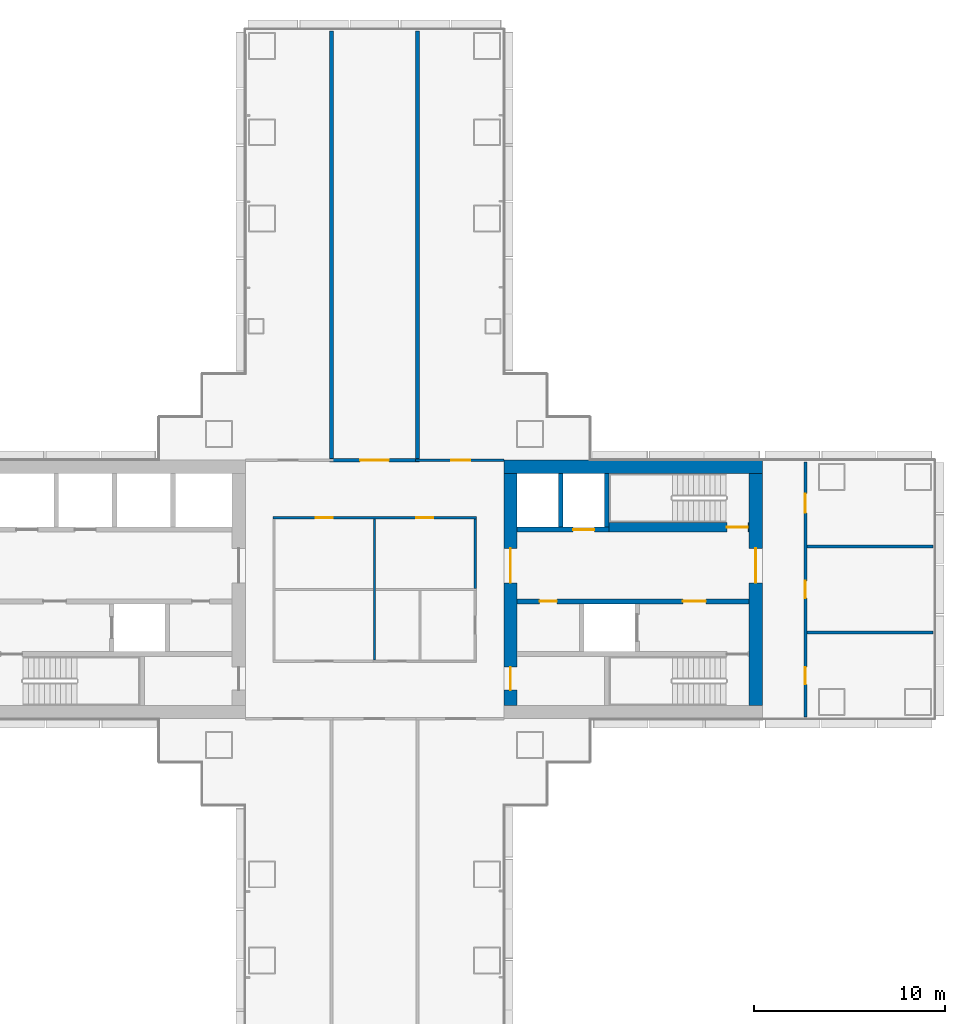
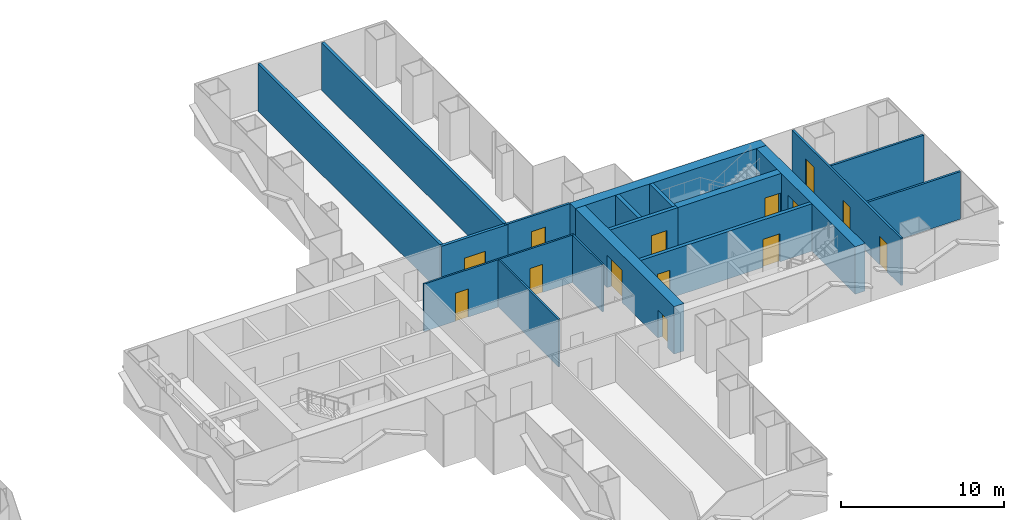
# One storey, part 16 of 21: 18 walls, 14 doors, 14 openings.
"""IFC4 building model written with IfcOpenShell, lengths in metres."""

from ifc_helpers import new_model, si_unit, direction, frame, frame_2d, origin, place, context, subcontext, project, spatial, rectangle, extrude, material, layer, layer_set, type_object, element, fill, save


model = new_model("IFC4")

# Units and contexts
model_context = context("Model", 3, precision=1e-05, world=origin(), true_north=direction((0.0, 1.0)))
body_context = subcontext(model_context, "Body", "Model", "MODEL_VIEW")
ifc_project = project(units=[si_unit("LENGTHUNIT", "METRE"), si_unit("AREAUNIT", "SQUARE_METRE"), si_unit("VOLUMEUNIT", "CUBIC_METRE"), si_unit("PLANEANGLEUNIT", "RADIAN"), si_unit("MASSUNIT", "GRAM", prefix="KILO")], contexts=[model_context])

# Site, building, storey
site_placement = place(None, origin())
site = spatial("IfcSite", under=ifc_project, at=site_placement, CompositionType="ELEMENT")
building_placement = place(site_placement, origin())
building = spatial("IfcBuilding", under=site, at=building_placement, Name="Shamsa Quay Exchange Towers", CompositionType="ELEMENT")
storey_placement = place(building_placement, frame((0.0, 0.0, 57.60009765625)))
storey = spatial("IfcBuildingStorey", under=building, at=storey_placement, Name="L12", CompositionType="ELEMENT", Elevation=57.60009765625)

# Wall
ifc_material_1 = material(Name="Concrete C80/95", Category="concrete")
ifc_layer_1 = layer(ifc_material_1, 0.699951171875)
ifc_layer_set_1 = layer_set([ifc_layer_1], Name="CORE WALL 700 C80/95")
wall_type_1 = type_object("IfcWallType", Name="CORE WALL 700 C80/95", PredefinedType="SHEAR", material=ifc_layer_set_1)
wall_1_placement = place(storey_placement, frame((54.0, 6.39990234375, 0.0), z_axis=(0.0, 0.0, 1.0), x_axis=(-1.0, 0.0, 0.0)))
element("IfcWall", 1, at=wall_1_placement, inside=storey, type_object=wall_type_1, Name="Core wall T2B-R05-PN", PredefinedType="SHEAR", context=body_context, shape_type="SweptSolid", body=[
    extrude(rectangle(XDim=13.5, YDim=0.699951171875, at=frame_2d((6.75, 0.0))), origin(), (0.0, 0.0, 1.0), 3.5498046875),
])

# Wall, opening, door
wall_2_placement = place(storey_placement, frame((53.64990234375, -6.050048828125, 0.0), z_axis=(0.0, 0.0, 1.0), x_axis=(0.0, 1.0, 0.0)))
wall_2 = element("IfcWall", 2, at=wall_2_placement, inside=storey, type_object=wall_type_1, Name="Core wall T2B-R05-PF", PredefinedType="SHEAR", context=body_context, shape_type="SweptSolid", body=[
    extrude(rectangle(XDim=12.10009765625, YDim=0.699951171875, at=frame_2d((6.050048828125, 0.0))), origin(), (0.0, 0.0, 1.0), 3.5498046875),
])
opening_1_placement = place(wall_2_placement, frame((6.39990234375, 0.0, 0.0)))
opening_1 = element("IfcOpeningElement", 3, at=opening_1_placement, cuts=wall_2, Name="Opening T2B-R05-LBD01", PredefinedType="OPENING", context=body_context, shape_type="SweptSolid", body=[
    extrude(rectangle(XDim=1.800048828125, YDim=2.39990234375, at=frame_2d((0.89990234375, 1.199951171875))), frame((0.0, 0.35986328125, 0.0), z_axis=(0.0, -1.0, 0.0), x_axis=(1.0, 0.0, 0.0)), (0.0, 0.0, 1.0), 0.719970703125),
])
ifc_material_2 = material(Name="Steel, fire rated", Category="steel")
door_type_1 = type_object("IfcDoorType", Name="LIFT LOBBY DOOR PAIR 1800", OperationType="DOUBLE_DOOR_SINGLE_SWING", PredefinedType="DOOR", material=ifc_material_2)
door_1_placement = place(opening_1_placement, origin())
door_1 = element("IfcDoor", 4, at=door_1_placement, inside=storey, type_object=door_type_1, Name="T2B-R05-LBD01", OperationType="DOUBLE_DOOR_SINGLE_SWING", OverallHeight=2.39990234375, OverallWidth=1.800048828125, PredefinedType="DOOR", context=body_context, shape_type="SweptSolid", body=[
    extrude(rectangle(XDim=1.800048828125, YDim=2.39990234375, at=frame_2d((0.89990234375, 1.199951171875))), frame((0.0, 0.02490234375, 0.0), z_axis=(0.0, -1.0, 0.0), x_axis=(1.0, 0.0, 0.0)), (0.0, 0.0, 1.0), 0.050048828125),
])
fill(opening_1, door_1)

# Wall, openings, doors
wall_3_placement = place(storey_placement, frame((40.85009765625, -6.050048828125, 0.0), z_axis=(0.0, 0.0, 1.0), x_axis=(0.0, 1.0, 0.0)))
wall_3 = element("IfcWall", 5, at=wall_3_placement, inside=storey, type_object=wall_type_1, Name="Core wall T2B-R05-PB", PredefinedType="SHEAR", context=body_context, shape_type="SweptSolid", body=[
    extrude(rectangle(XDim=12.10009765625, YDim=0.699951171875, at=frame_2d((6.050048828125, 0.0))), origin(), (0.0, 0.0, 1.0), 3.5498046875),
])
opening_2_placement = place(wall_3_placement, frame((0.800048828125, 0.0, 0.0)))
opening_2 = element("IfcOpeningElement", 6, at=opening_2_placement, cuts=wall_3, Name="Opening T2B-R05-RD02", PredefinedType="OPENING", context=body_context, shape_type="SweptSolid", body=[
    extrude(rectangle(XDim=1.199951171875, YDim=2.10009765625, at=frame_2d((0.60009765625, 1.050048828125))), frame((0.0, 0.35986328125, 0.0), z_axis=(0.0, -1.0, 0.0), x_axis=(1.0, 0.0, 0.0)), (0.0, 0.0, 1.0), 0.719970703125),
])
opening_3_placement = place(wall_3_placement, frame((6.39990234375, 0.0, 0.0)))
opening_3 = element("IfcOpeningElement", 7, at=opening_3_placement, cuts=wall_3, Name="Opening T2B-R05-LBD03", PredefinedType="OPENING", context=body_context, shape_type="SweptSolid", body=[
    extrude(rectangle(XDim=1.800048828125, YDim=2.39990234375, at=frame_2d((0.89990234375, 1.199951171875))), frame((0.0, 0.35986328125, 0.0), z_axis=(0.0, -1.0, 0.0), x_axis=(1.0, 0.0, 0.0)), (0.0, 0.0, 1.0), 0.719970703125),
])
door_2_placement = place(opening_3_placement, origin())
door_2 = element("IfcDoor", 8, at=door_2_placement, inside=storey, type_object=door_type_1, Name="T2B-R05-LBD03", OperationType="DOUBLE_DOOR_SINGLE_SWING", OverallHeight=2.39990234375, OverallWidth=1.800048828125, PredefinedType="DOOR", context=body_context, shape_type="SweptSolid", body=[
    extrude(rectangle(XDim=1.800048828125, YDim=2.39990234375, at=frame_2d((0.89990234375, 1.199951171875))), frame((0.0, 0.02490234375, 0.0), z_axis=(0.0, -1.0, 0.0), x_axis=(1.0, 0.0, 0.0)), (0.0, 0.0, 1.0), 0.050048828125),
])
fill(opening_3, door_2)
door_type_2 = type_object("IfcDoorType", Name="RISER ACCESS DOOR 1200", OperationType="SINGLE_SWING_LEFT", PredefinedType="DOOR", material=ifc_material_2)
door_3_placement = place(opening_2_placement, origin())
door_3 = element("IfcDoor", 9, at=door_3_placement, inside=storey, type_object=door_type_2, Name="T2B-R05-RD02", OperationType="SINGLE_SWING_LEFT", OverallHeight=2.10009765625, OverallWidth=1.199951171875, PredefinedType="DOOR", context=body_context, shape_type="SweptSolid", body=[
    extrude(rectangle(XDim=1.199951171875, YDim=2.10009765625, at=frame_2d((0.60009765625, 1.050048828125))), frame((0.0, 0.02490234375, 0.0), z_axis=(0.0, -1.0, 0.0), x_axis=(1.0, 0.0, 0.0)), (0.0, 0.0, 1.0), 0.050048828125),
])
fill(opening_2, door_3)

ifc_material_3 = material(Name="Laminated fire-resisting glass in a metal frame", Category="glass")
ifc_layer_2 = layer(ifc_material_3, 0.125)
ifc_layer_set_2 = layer_set([ifc_layer_2], Name="Glazed partition 125 mm EI 60")
wall_type_2 = type_object("IfcWallType", Name="Glazed partition 125 mm EI 60", PredefinedType="PARTITIONING", material=ifc_layer_set_2)
wall_4_placement = place(storey_placement, frame((39.0625, 3.75, 0.0), z_axis=(0.0, 0.0, 1.0), x_axis=(-1.0, 0.0, 0.0)))
wall_4 = element("IfcWall", 10, at=wall_4_placement, inside=storey, type_object=wall_type_2, Name="Partition T2-R05-W02", PredefinedType="PARTITIONING", context=body_context, shape_type="SweptSolid", body=[
    extrude(rectangle(XDim=10.625, YDim=0.125, at=frame_2d((5.3125, 0.0))), origin(), (0.0, 0.0, 1.0), 3.5498046875),
])
opening_4_placement = place(wall_4_placement, frame((7.487548828125, 0.0, 0.0)))
opening_4 = element("IfcOpeningElement", 11, at=opening_4_placement, cuts=wall_4, Name="Opening T2-R05-D12", PredefinedType="OPENING", context=body_context, shape_type="SweptSolid", body=[
    extrude(rectangle(XDim=0.89990234375, YDim=2.10009765625, at=frame_2d((0.449951171875, 1.050048828125))), frame((0.0, 0.072509765625, 0.0), z_axis=(0.0, -1.0, 0.0), x_axis=(1.0, 0.0, 0.0)), (0.0, 0.0, 1.0), 0.14501953125),
])
opening_5_placement = place(wall_4_placement, frame((2.237548828125, 0.0, 0.0)))
opening_5 = element("IfcOpeningElement", 12, at=opening_5_placement, cuts=wall_4, Name="Opening T2-R05-D13", PredefinedType="OPENING", context=body_context, shape_type="SweptSolid", body=[
    extrude(rectangle(XDim=0.89990234375, YDim=2.10009765625, at=frame_2d((0.449951171875, 1.050048828125))), frame((0.0, 0.072509765625, 0.0), z_axis=(0.0, -1.0, 0.0), x_axis=(1.0, 0.0, 0.0)), (0.0, 0.0, 1.0), 0.14501953125),
])
ifc_material_4 = material(Name="Timber door leaf in a metal frame", Category="wood")
door_type_3 = type_object("IfcDoorType", Name="Door 900x2100 FD30S", OperationType="NOTDEFINED", PredefinedType="DOOR", material=ifc_material_4)
door_4_placement = place(opening_4_placement, origin())
door_4 = element("IfcDoor", 13, at=door_4_placement, inside=storey, type_object=door_type_3, Name="Door T2-R05-D12", OperationType="SINGLE_SWING_LEFT", OverallHeight=2.10009765625, OverallWidth=0.89990234375, PredefinedType="DOOR", context=body_context, shape_type="SweptSolid", body=[
    extrude(rectangle(XDim=0.89990234375, YDim=2.10009765625, at=frame_2d((0.449951171875, 1.050048828125))), frame((0.0, 0.02490234375, 0.0), z_axis=(0.0, -1.0, 0.0), x_axis=(1.0, 0.0, 0.0)), (0.0, 0.0, 1.0), 0.050048828125),
])
fill(opening_4, door_4)
door_5_placement = place(opening_5_placement, origin())
door_5 = element("IfcDoor", 14, at=door_5_placement, inside=storey, type_object=door_type_3, Name="Door T2-R05-D13", OperationType="SINGLE_SWING_RIGHT", OverallHeight=2.10009765625, OverallWidth=0.89990234375, PredefinedType="DOOR", context=body_context, shape_type="SweptSolid", body=[
    extrude(rectangle(XDim=0.89990234375, YDim=2.10009765625, at=frame_2d((0.449951171875, 1.050048828125))), frame((0.0, 0.02490234375, 0.0), z_axis=(0.0, -1.0, 0.0), x_axis=(1.0, 0.0, 0.0)), (0.0, 0.0, 1.0), 0.050048828125),
])
fill(opening_5, door_5)

# Walls
wall_5_placement = place(storey_placement, frame((39.0, 0.0625, 0.0), z_axis=(0.0, 0.0, 1.0), x_axis=(0.0, 1.0, 0.0)))
element("IfcWall", 15, at=wall_5_placement, inside=storey, type_object=wall_type_2, Name="Partition T2-R05-W04", PredefinedType="PARTITIONING", context=body_context, shape_type="SweptSolid", body=[
    extrude(rectangle(XDim=3.625, YDim=0.125, at=frame_2d((1.8125, 0.0))), origin(), (0.0, 0.0, 1.0), 3.5498046875),
])
wall_6_placement = place(storey_placement, frame((33.75, -3.6875, 0.0), z_axis=(0.0, 0.0, 1.0), x_axis=(0.0, 1.0, 0.0)))
element("IfcWall", 16, at=wall_6_placement, inside=storey, type_object=wall_type_2, Name="Partition T2-R05-W15", PredefinedType="PARTITIONING", context=body_context, shape_type="SweptSolid", body=[
    extrude(rectangle(XDim=7.375, YDim=0.125, at=frame_2d((3.6875, 0.0))), origin(), (0.0, 0.0, 1.0), 3.5498046875),
])

# Wall, opening, door
ifc_material_5 = material(Name="Gypsum board partition on metal studs")
ifc_layer_3 = layer(ifc_material_5, 0.14990234375)
ifc_layer_set_3 = layer_set([ifc_layer_3], Name="Partition 150 mm EI 60")
wall_type_3 = type_object("IfcWallType", Name="Partition 150 mm EI 60", PredefinedType="PARTITIONING", material=ifc_layer_set_3)
wall_7_placement = place(storey_placement, frame((35.89990234375, 6.75, 0.0)))
wall_7 = element("IfcWall", 17, at=wall_7_placement, inside=storey, type_object=wall_type_3, Name="Partition T2-R05-W07", PredefinedType="PARTITIONING", context=body_context, shape_type="SweptSolid", body=[
    extrude(rectangle(XDim=4.60009765625, YDim=0.14990234375, at=frame_2d((2.300048828125, 0.0))), origin(), (0.0, 0.0, 1.0), 3.5498046875),
])
opening_6_placement = place(wall_7_placement, frame((1.85009765625, 0.0, 0.0)))
opening_6 = element("IfcOpeningElement", 18, at=opening_6_placement, cuts=wall_7, Name="Opening T2-R05-D04", PredefinedType="OPENING", context=body_context, shape_type="SweptSolid", body=[
    extrude(rectangle(XDim=1.0, YDim=2.39990234375, at=frame_2d((0.5, 1.199951171875))), frame((0.0, 0.0849609375, 0.0), z_axis=(0.0, -1.0, 0.0), x_axis=(1.0, 0.0, 0.0)), (0.0, 0.0, 1.0), 0.169921875),
])
door_type_4 = type_object("IfcDoorType", Name="Door 1000x2400 FD30S", OperationType="NOTDEFINED", PredefinedType="DOOR", material=ifc_material_4)
door_6_placement = place(opening_6_placement, origin())
door_6 = element("IfcDoor", 19, at=door_6_placement, inside=storey, type_object=door_type_4, Name="Door T2-R05-D04", OperationType="SINGLE_SWING_RIGHT", OverallHeight=2.39990234375, OverallWidth=1.0, PredefinedType="DOOR", context=body_context, shape_type="SweptSolid", body=[
    extrude(rectangle(XDim=1.0, YDim=2.39990234375, at=frame_2d((0.5, 1.199951171875))), frame((0.0, 0.02490234375, 0.0), z_axis=(0.0, -1.0, 0.0), x_axis=(1.0, 0.0, 0.0)), (0.0, 0.0, 1.0), 0.050048828125),
])
fill(opening_6, door_6)

# Wall, openings, doors
wall_8_placement = place(storey_placement, frame((56.25, 6.655029296875, 0.0), z_axis=(0.0, 0.0, 1.0), x_axis=(0.0, -1.0, 0.0)))
wall_8 = element("IfcWall", 20, at=wall_8_placement, inside=storey, type_object=wall_type_3, Name="Partition T2-R05-W13", PredefinedType="PARTITIONING", context=body_context, shape_type="SweptSolid", body=[
    extrude(rectangle(XDim=13.31005859375, YDim=0.14990234375, at=frame_2d((6.655029296875, 0.0))), origin(), (0.0, 0.0, 1.0), 3.5498046875),
])
opening_7_placement = place(wall_8_placement, frame((10.705078125, 0.0, 0.0)))
opening_7 = element("IfcOpeningElement", 21, at=opening_7_placement, cuts=wall_8, Name="Opening T2-R05-D01", PredefinedType="OPENING", context=body_context, shape_type="SweptSolid", body=[
    extrude(rectangle(XDim=0.89990234375, YDim=2.10009765625, at=frame_2d((0.449951171875, 1.050048828125))), frame((0.0, 0.0849609375, 0.0), z_axis=(0.0, -1.0, 0.0), x_axis=(1.0, 0.0, 0.0)), (0.0, 0.0, 1.0), 0.169921875),
])
opening_8_placement = place(wall_8_placement, frame((6.205078125, 0.0, 0.0)))
opening_8 = element("IfcOpeningElement", 22, at=opening_8_placement, cuts=wall_8, Name="Opening T2-R05-D02", PredefinedType="OPENING", context=body_context, shape_type="SweptSolid", body=[
    extrude(rectangle(XDim=0.89990234375, YDim=2.10009765625, at=frame_2d((0.449951171875, 1.050048828125))), frame((0.0, 0.0849609375, 0.0), z_axis=(0.0, -1.0, 0.0), x_axis=(1.0, 0.0, 0.0)), (0.0, 0.0, 1.0), 0.169921875),
])
opening_9_placement = place(wall_8_placement, frame((1.655029296875, 0.0, 0.0)))
opening_9 = element("IfcOpeningElement", 23, at=opening_9_placement, cuts=wall_8, Name="Opening T2-R05-D03", PredefinedType="OPENING", context=body_context, shape_type="SweptSolid", body=[
    extrude(rectangle(XDim=1.0, YDim=2.39990234375, at=frame_2d((0.5, 1.199951171875))), frame((0.0, 0.0849609375, 0.0), z_axis=(0.0, -1.0, 0.0), x_axis=(1.0, 0.0, 0.0)), (0.0, 0.0, 1.0), 0.169921875),
])
door_7_placement = place(opening_9_placement, origin())
door_7 = element("IfcDoor", 24, at=door_7_placement, inside=storey, type_object=door_type_4, Name="Door T2-R05-D03", OperationType="SINGLE_SWING_RIGHT", OverallHeight=2.39990234375, OverallWidth=1.0, PredefinedType="DOOR", context=body_context, shape_type="SweptSolid", body=[
    extrude(rectangle(XDim=1.0, YDim=2.39990234375, at=frame_2d((0.5, 1.199951171875))), frame((0.0, 0.02490234375, 0.0), z_axis=(0.0, -1.0, 0.0), x_axis=(1.0, 0.0, 0.0)), (0.0, 0.0, 1.0), 0.050048828125),
])
fill(opening_9, door_7)
door_8_placement = place(opening_7_placement, origin())
door_8 = element("IfcDoor", 25, at=door_8_placement, inside=storey, type_object=door_type_3, Name="Door T2-R05-D01", OperationType="SINGLE_SWING_LEFT", OverallHeight=2.10009765625, OverallWidth=0.89990234375, PredefinedType="DOOR", context=body_context, shape_type="SweptSolid", body=[
    extrude(rectangle(XDim=0.89990234375, YDim=2.10009765625, at=frame_2d((0.449951171875, 1.050048828125))), frame((0.0, 0.02490234375, 0.0), z_axis=(0.0, -1.0, 0.0), x_axis=(1.0, 0.0, 0.0)), (0.0, 0.0, 1.0), 0.050048828125),
])
fill(opening_7, door_8)
door_9_placement = place(opening_8_placement, origin())
door_9 = element("IfcDoor", 26, at=door_9_placement, inside=storey, type_object=door_type_3, Name="Door T2-R05-D02", OperationType="SINGLE_SWING_RIGHT", OverallHeight=2.10009765625, OverallWidth=0.89990234375, PredefinedType="DOOR", context=body_context, shape_type="SweptSolid", body=[
    extrude(rectangle(XDim=0.89990234375, YDim=2.10009765625, at=frame_2d((0.449951171875, 1.050048828125))), frame((0.0, 0.02490234375, 0.0), z_axis=(0.0, -1.0, 0.0), x_axis=(1.0, 0.0, 0.0)), (0.0, 0.0, 1.0), 0.050048828125),
])
fill(opening_8, door_9)

# Walls
for number, where, z_axis, x_axis, name in (
    (27, (62.905029296875, -2.25, 0.0), (0.0, 0.0, 1.0), (-1.0, 0.0, 0.0), "Partition T2-R05-W21"),
    (28, (62.905029296875, 2.25, 0.0), (0.0, 0.0, 1.0), (-1.0, 0.0, 0.0), "Partition T2-R05-W22"),
):
    element("IfcWall", number, at=place(storey_placement, frame(where, z_axis=z_axis, x_axis=x_axis)), inside=storey, type_object=wall_type_3, Name=name, PredefinedType="PARTITIONING", context=body_context, shape_type="SweptSolid", body=[
        extrude(rectangle(XDim=6.580078125, YDim=0.14990234375, at=frame_2d((3.2900390625, 0.0))), origin(), (0.0, 0.0, 1.0), 3.5498046875),
    ])

# Wall, opening, door
ifc_layer_4 = layer(ifc_material_5, 0.199951171875)
ifc_layer_set_4 = layer_set([ifc_layer_4], Name="Partition 200 mm EI 90")
wall_type_4 = type_object("IfcWallType", Name="Partition 200 mm EI 90", PredefinedType="PARTITIONING", material=ifc_layer_set_4)
wall_9_placement = place(storey_placement, frame((31.39990234375, 6.75, 0.0)))
wall_9 = element("IfcWall", 29, at=wall_9_placement, inside=storey, type_object=wall_type_4, Name="Partition T2-R05-W09", PredefinedType="PARTITIONING", context=body_context, shape_type="SweptSolid", body=[
    extrude(rectangle(XDim=4.7001953125, YDim=0.199951171875, at=frame_2d((2.35009765625, 0.0))), origin(), (0.0, 0.0, 1.0), 3.5498046875),
])
opening_10_placement = place(wall_9_placement, frame((1.60009765625, 0.0, 0.0)))
opening_10 = element("IfcOpeningElement", 30, at=opening_10_placement, cuts=wall_9, Name="Opening T2-R05-D08", PredefinedType="OPENING", context=body_context, shape_type="SweptSolid", body=[
    extrude(rectangle(XDim=1.5, YDim=2.10009765625, at=frame_2d((0.75, 1.050048828125))), frame((0.0, 0.10986328125, 0.0), z_axis=(0.0, -1.0, 0.0), x_axis=(1.0, 0.0, 0.0)), (0.0, 0.0, 1.0), 0.219970703125),
])
door_type_5 = type_object("IfcDoorType", Name="Door 1500x2100 FD30S pair", OperationType="NOTDEFINED", PredefinedType="DOOR", material=ifc_material_4)
door_10_placement = place(opening_10_placement, origin())
door_10 = element("IfcDoor", 31, at=door_10_placement, inside=storey, type_object=door_type_5, Name="Door T2-R05-D08", OperationType="DOUBLE_DOOR_SINGLE_SWING", OverallHeight=2.10009765625, OverallWidth=1.5, PredefinedType="DOOR", context=body_context, shape_type="SweptSolid", body=[
    extrude(rectangle(XDim=1.5, YDim=2.10009765625, at=frame_2d((0.75, 1.050048828125))), frame((0.0, 0.02490234375, 0.0), z_axis=(0.0, -1.0, 0.0), x_axis=(1.0, 0.0, 0.0)), (0.0, 0.0, 1.0), 0.050048828125),
])
fill(opening_10, door_10)

# Walls
for number, where, z_axis, x_axis, name in (
    (32, (36.0, 29.155029296875, 0.0), (0.0, 0.0, 1.0), (0.0, -1.0, 0.0), "Partition T2-R05-W17"),
    (33, (31.5, 29.155029296875, 0.0), (0.0, 0.0, 1.0), (0.0, -1.0, 0.0), "Partition T2-R05-W18"),
):
    element("IfcWall", number, at=place(storey_placement, frame(where, z_axis=z_axis, x_axis=x_axis)), inside=storey, type_object=wall_type_4, Name=name, PredefinedType="PARTITIONING", context=body_context, shape_type="SweptSolid", body=[
        extrude(rectangle(XDim=22.304931640625, YDim=0.199951171875, at=frame_2d((11.15234375, 0.0))), origin(), (0.0, 0.0, 1.0), 3.5498046875),
    ])

# Wall, openings, doors
ifc_material_6 = material(Name="Concrete C50/60", Category="concrete")
ifc_layer_5 = layer(ifc_material_6, 0.25)
ifc_layer_set_5 = layer_set([ifc_layer_5], Name="SHAFT WALL 250 C50/60")
wall_type_5 = type_object("IfcWallType", Name="SHAFT WALL 250 C50/60", PredefinedType="SHEAR", material=ifc_layer_set_5)
wall_10_placement = place(storey_placement, frame((53.300048828125, -0.625, 0.0), z_axis=(0.0, 0.0, 1.0), x_axis=(-1.0, 0.0, 0.0)))
wall_10 = element("IfcWall", 34, at=wall_10_placement, inside=storey, type_object=wall_type_5, Name="Shaft wall T2B-R05-B", PredefinedType="SHEAR", context=body_context, shape_type="SweptSolid", body=[
    extrude(rectangle(XDim=12.10009765625, YDim=0.25, at=frame_2d((6.050048828125, 0.0))), origin(), (0.0, 0.0, 1.0), 3.5498046875),
])
opening_11_placement = place(wall_10_placement, frame((2.25, 0.0, 0.0)))
opening_11 = element("IfcOpeningElement", 35, at=opening_11_placement, cuts=wall_10, Name="Opening T2B-R05-FD05", PredefinedType="OPENING", context=body_context, shape_type="SweptSolid", body=[
    extrude(rectangle(XDim=1.199951171875, YDim=2.10009765625, at=frame_2d((0.60009765625, 1.050048828125))), frame((0.0, 0.135009765625, 0.0), z_axis=(0.0, -1.0, 0.0), x_axis=(1.0, 0.0, 0.0)), (0.0, 0.0, 1.0), 0.27001953125),
])
opening_12_placement = place(wall_10_placement, frame((10.02490234375, 0.0, 0.0)))
opening_12 = element("IfcOpeningElement", 36, at=opening_12_placement, cuts=wall_10, Name="Opening T2B-R05-SV06", PredefinedType="OPENING", context=body_context, shape_type="SweptSolid", body=[
    extrude(rectangle(XDim=0.89990234375, YDim=2.10009765625, at=frame_2d((0.449951171875, 1.050048828125))), frame((0.0, 0.135009765625, 0.0), z_axis=(0.0, -1.0, 0.0), x_axis=(1.0, 0.0, 0.0)), (0.0, 0.0, 1.0), 0.27001953125),
])
door_type_6 = type_object("IfcDoorType", Name="FIRE SERVICE LOBBY DOOR 1200", OperationType="SINGLE_SWING_LEFT", PredefinedType="DOOR", material=ifc_material_2)
door_11_placement = place(opening_11_placement, origin())
door_11 = element("IfcDoor", 37, at=door_11_placement, inside=storey, type_object=door_type_6, Name="T2B-R05-FD05", OperationType="SINGLE_SWING_LEFT", OverallHeight=2.10009765625, OverallWidth=1.199951171875, PredefinedType="DOOR", context=body_context, shape_type="SweptSolid", body=[
    extrude(rectangle(XDim=1.199951171875, YDim=2.10009765625, at=frame_2d((0.60009765625, 1.050048828125))), frame((0.0, 0.02490234375, 0.0), z_axis=(0.0, -1.0, 0.0), x_axis=(1.0, 0.0, 0.0)), (0.0, 0.0, 1.0), 0.050048828125),
])
fill(opening_11, door_11)
door_type_7 = type_object("IfcDoorType", Name="SERVICE ROOM DOOR 900", OperationType="SINGLE_SWING_LEFT", PredefinedType="DOOR", material=ifc_material_2)
door_12_placement = place(opening_12_placement, origin())
door_12 = element("IfcDoor", 38, at=door_12_placement, inside=storey, type_object=door_type_7, Name="T2B-R05-SV06", OperationType="SINGLE_SWING_RIGHT", OverallHeight=2.10009765625, OverallWidth=0.89990234375, PredefinedType="DOOR", context=body_context, shape_type="SweptSolid", body=[
    extrude(rectangle(XDim=0.89990234375, YDim=2.10009765625, at=frame_2d((0.449951171875, 1.050048828125))), frame((0.0, 0.02490234375, 0.0), z_axis=(0.0, -1.0, 0.0), x_axis=(1.0, 0.0, 0.0)), (0.0, 0.0, 1.0), 0.050048828125),
])
fill(opening_12, door_12)

# Wall, opening, door
wall_11_placement = place(storey_placement, frame((46.0, 3.125, 0.0), z_axis=(0.0, 0.0, 1.0), x_axis=(-1.0, 0.0, 0.0)))
wall_11 = element("IfcWall", 39, at=wall_11_placement, inside=storey, type_object=wall_type_5, Name="Shaft wall T2B-R05-N2", PredefinedType="SHEAR", context=body_context, shape_type="SweptSolid", body=[
    extrude(rectangle(XDim=4.800048828125, YDim=0.25, at=frame_2d((2.39990234375, 0.0))), origin(), (0.0, 0.0, 1.0), 3.5498046875),
])
opening_13_placement = place(wall_11_placement, frame((0.77490234375, 0.0, 0.0)))
opening_13 = element("IfcOpeningElement", 40, at=opening_13_placement, cuts=wall_11, Name="Opening T2B-R05-LD09", PredefinedType="OPENING", context=body_context, shape_type="SweptSolid", body=[
    extrude(rectangle(XDim=1.10009765625, YDim=2.10009765625, at=frame_2d((0.550048828125, 1.050048828125))), frame((0.0, 0.135009765625, 0.0), z_axis=(0.0, -1.0, 0.0), x_axis=(1.0, 0.0, 0.0)), (0.0, 0.0, 1.0), 0.27001953125),
])
door_type_8 = type_object("IfcDoorType", Name="LANDING DOOR 1100", OperationType="SLIDING_TO_LEFT", PredefinedType="DOOR", material=ifc_material_2)
door_13_placement = place(opening_13_placement, origin())
door_13 = element("IfcDoor", 41, at=door_13_placement, inside=storey, type_object=door_type_8, Name="T2B-R05-LD09", OperationType="SLIDING_TO_LEFT", OverallHeight=2.10009765625, OverallWidth=1.10009765625, PredefinedType="DOOR", context=body_context, shape_type="SweptSolid", body=[
    extrude(rectangle(XDim=1.10009765625, YDim=2.10009765625, at=frame_2d((0.550048828125, 1.050048828125))), frame((0.0, 0.02490234375, 0.0), z_axis=(0.0, -1.0, 0.0), x_axis=(1.0, 0.0, 0.0)), (0.0, 0.0, 1.0), 0.050048828125),
])
fill(opening_13, door_13)

# Walls
for number, where, z_axis, x_axis, name in (
    (42, (45.875, 3.25, 0.0), (0.0, 0.0, 1.0), (0.0, 1.0, 0.0), "Shaft wall T2B-R05-STF2"),
    (43, (43.47509765625, 3.25, 0.0), (0.0, 0.0, 1.0), (0.0, 1.0, 0.0), "Shaft wall T2B-R05-D0"),
):
    element("IfcWall", number, at=place(storey_placement, frame(where, z_axis=z_axis, x_axis=x_axis)), inside=storey, type_object=wall_type_5, Name=name, PredefinedType="SHEAR", context=body_context, shape_type="SweptSolid", body=[
        extrude(rectangle(XDim=2.800048828125, YDim=0.25, at=frame_2d((1.39990234375, 0.0))), origin(), (0.0, 0.0, 1.0), 3.5498046875),
    ])

# Wall, opening, door
ifc_layer_6 = layer(ifc_material_6, 0.5)
ifc_layer_set_6 = layer_set([ifc_layer_6], Name="SHAFT WALL 500 C50/60")
wall_type_6 = type_object("IfcWallType", Name="SHAFT WALL 500 C50/60", PredefinedType="SHEAR", material=ifc_layer_set_6)
wall_12_placement = place(storey_placement, frame((46.0, 3.25, 0.0)))
wall_12 = element("IfcWall", 44, at=wall_12_placement, inside=storey, type_object=wall_type_6, Name="Shaft wall T2B-R05-N", PredefinedType="SHEAR", context=body_context, shape_type="SweptSolid", body=[
    extrude(rectangle(XDim=7.300048828125, YDim=0.5, at=frame_2d((3.64990234375, 0.0))), origin(), (0.0, 0.0, 1.0), 3.5498046875),
])
opening_14_placement = place(wall_12_placement, frame((6.14990234375, 0.0, 0.0)))
opening_14 = element("IfcOpeningElement", 45, at=opening_14_placement, cuts=wall_12, Name="Opening T2B-R05-SD08", PredefinedType="OPENING", context=body_context, shape_type="SweptSolid", body=[
    extrude(rectangle(XDim=1.10009765625, YDim=2.10009765625, at=frame_2d((0.550048828125, 1.050048828125))), frame((0.0, 0.260009765625, 0.0), z_axis=(0.0, -1.0, 0.0), x_axis=(1.0, 0.0, 0.0)), (0.0, 0.0, 1.0), 0.52001953125),
])
door_type_9 = type_object("IfcDoorType", Name="STAIR DOOR 1100", OperationType="SINGLE_SWING_LEFT", PredefinedType="DOOR", material=ifc_material_2)
door_14_placement = place(opening_14_placement, origin())
door_14 = element("IfcDoor", 46, at=door_14_placement, inside=storey, type_object=door_type_9, Name="T2B-R05-SD08", OperationType="SINGLE_SWING_RIGHT", OverallHeight=2.10009765625, OverallWidth=1.10009765625, PredefinedType="DOOR", context=body_context, shape_type="SweptSolid", body=[
    extrude(rectangle(XDim=1.10009765625, YDim=2.10009765625, at=frame_2d((0.550048828125, 1.050048828125))), frame((0.0, 0.02490234375, 0.0), z_axis=(0.0, -1.0, 0.0), x_axis=(1.0, 0.0, 0.0)), (0.0, 0.0, 1.0), 0.050048828125),
])
fill(opening_14, door_14)

save(model, "model.ifc")
